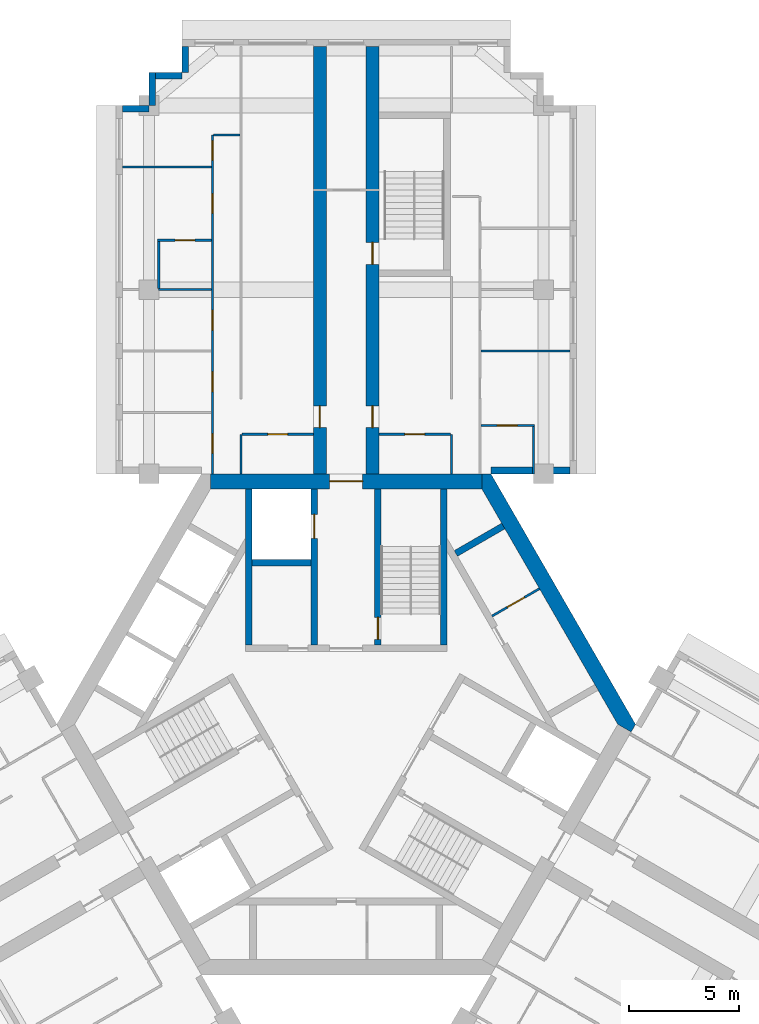
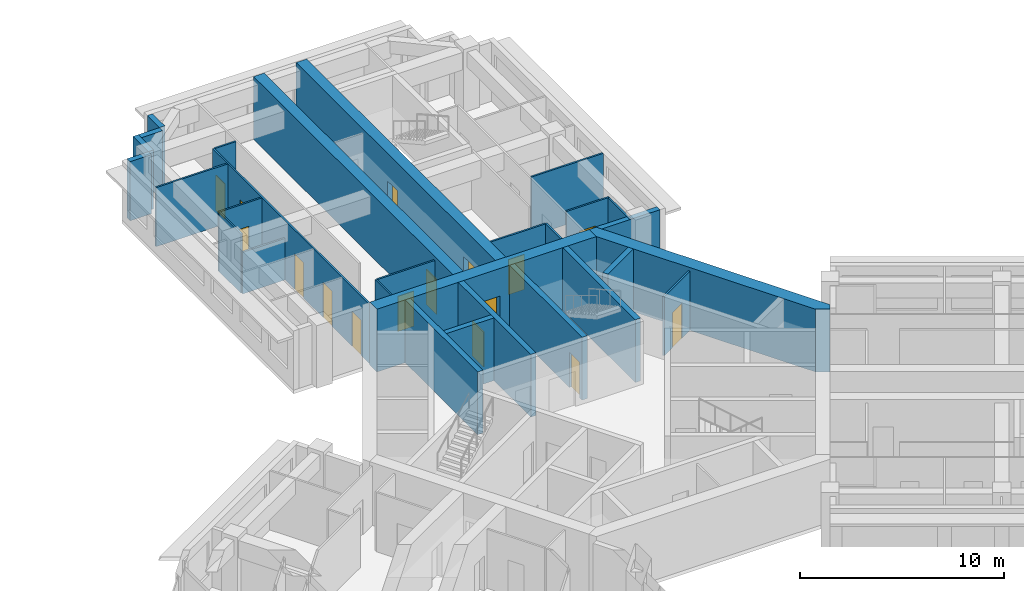
# One storey, part 8 of 12: 29 walls, 16 doors, 16 openings.
"""IFC4 building model written with IfcOpenShell, lengths in metres."""

import ifcopenshell
import ifcopenshell.guid

model = None  # the IFC model being written
_history = None  # IfcOwnerHistory: only IFC2X3 demands one
_inside = {}  # id of a spatial element -> (the spatial element, [elements in it])
_under = {}  # id of a project, library or spatial element -> (it, [spatial elements below it])
_declared = {}  # id of a project -> (the project, [libraries it declares])
_typed = {}  # id of a type object -> (the type object, [elements of that type])
_made_of = {}  # id of a material, layer set ... -> (it, [elements and type objects made of it])


def new_model(schema):
    """Start an empty IFC model of exactly this schema.

    Asked for "IFC4X3", IfcOpenShell would pick the latest addendum, in which some entities
    have other attributes; the version numbers below select the first issue.
    IFC2X3 requires an IfcOwnerHistory on every rooted entity: one is made here for all.
    """
    global model, _history
    if schema == "IFC4X3":
        model = ifcopenshell.file(schema_version=(4, 3, 0, 0))
    else:
        model = ifcopenshell.file(schema=schema)
    _inside.clear()
    _under.clear()
    _declared.clear()
    _typed.clear()
    _made_of.clear()
    _history = None
    if model.schema == "IFC2X3":
        org = make("IfcOrganization", Name="unknown")
        user = make(
            "IfcPersonAndOrganization",
            ThePerson=make("IfcPerson", FamilyName="unknown"),
            TheOrganization=org,
        )
        app = make(
            "IfcApplication",
            ApplicationDeveloper=org,
            Version="unknown",
            ApplicationFullName="unknown",
            ApplicationIdentifier="unknown",
        )
        _history = make(
            "IfcOwnerHistory",
            OwningUser=user,
            OwningApplication=app,
            ChangeAction="ADDED",
            CreationDate=0,
        )
    return model


def make(cls, **values):
    """One entity of the class cls with the attributes given. An attribute that is None is left unset."""
    return model.create_entity(
        cls, **{name: value for name, value in values.items() if value is not None}
    )


def rooted(cls, **values):
    """An entity with a GlobalId (a new one), such as an element, a storey or a relation."""
    return make(cls, GlobalId=ifcopenshell.guid.new(), OwnerHistory=_history, **values)


def si_unit(unit_type, name, prefix=None):
    """IfcSIUnit, for example si_unit("LENGTHUNIT", "METRE", prefix="MILLI")."""
    return make("IfcSIUnit", UnitType=unit_type, Prefix=prefix, Name=name)


def assignment(units):
    """IfcUnitAssignment: the units of a project."""
    return None if units is None else make("IfcUnitAssignment", Units=units)


def point(xyz):
    """IfcCartesianPoint."""
    return None if xyz is None else make("IfcCartesianPoint", Coordinates=xyz)


def direction(xyz):
    """IfcDirection."""
    return None if xyz is None else make("IfcDirection", DirectionRatios=xyz)


def frame(location, z_axis=None, x_axis=None):
    """IfcAxis2Placement3D, a coordinate frame: its origin and axes. An axis left out is left unset."""
    return make(
        "IfcAxis2Placement3D",
        Location=point(location),
        Axis=direction(z_axis),
        RefDirection=direction(x_axis),
    )


def frame_2d(location, x_axis=None):
    """IfcAxis2Placement2D, a coordinate frame in the plane: its origin and x axis."""
    return make(
        "IfcAxis2Placement2D", Location=point(location), RefDirection=direction(x_axis)
    )


def origin():
    """The frame at (0, 0, 0) with its axes left unset."""
    return frame((0.0, 0.0, 0.0))


def place(relative_to, where):
    """IfcLocalPlacement: puts the frame where relative to a parent placement (None: the world)."""
    return make(
        "IfcLocalPlacement", PlacementRelTo=relative_to, RelativePlacement=where
    )


def context(
    kind, dimensions, precision=None, world=None, true_north=None, identifier=None
):
    """IfcGeometricRepresentationContext, for example the 3D "Model" context."""
    return make(
        "IfcGeometricRepresentationContext",
        ContextIdentifier=identifier,
        ContextType=kind,
        CoordinateSpaceDimension=dimensions,
        Precision=precision,
        WorldCoordinateSystem=world,
        TrueNorth=true_north,
    )


def subcontext(parent, identifier, kind, view, scale=None):
    """IfcGeometricRepresentationSubContext, for example "Body" below "Model"."""
    return make(
        "IfcGeometricRepresentationSubContext",
        ContextIdentifier=identifier,
        ContextType=kind,
        ParentContext=parent,
        TargetScale=scale,
        TargetView=view,
    )


def project(units=None, contexts=None):
    """IfcProject with its units and contexts."""
    return rooted(
        "IfcProject",
        Name="project",
        RepresentationContexts=contexts,
        UnitsInContext=assignment(units),
    )


def spatial(cls, under=None, at=None, **own):
    """A site, building, storey or space (cls), placed at a placement, below another one or the project."""
    s = rooted(cls, ObjectPlacement=at, **own)
    if under is not None:
        _under.setdefault(under.id(), (under, []))[1].append(s)
    return s


def polyline(points):
    """IfcPolyline through the points."""
    return make("IfcPolyline", Points=[point(p) for p in points])


def profile(cls, at=None, kind="AREA", **sizes):
    """A parametric profile (cls). Its sizes go by their IFC names, for example OverallWidth=200.0."""
    return make(cls, ProfileType=kind, Position=at, **sizes)


def rectangle(**sizes):
    """IfcRectangleProfileDef."""
    return profile("IfcRectangleProfileDef", **sizes)


def outline(outer, holes=None, kind="AREA"):
    """IfcArbitraryClosedProfileDef: a profile drawn as a closed curve; with holes, ...WithVoids."""
    if holes is None:
        return make("IfcArbitraryClosedProfileDef", ProfileType=kind, OuterCurve=outer)
    return make(
        "IfcArbitraryProfileDefWithVoids",
        ProfileType=kind,
        OuterCurve=outer,
        InnerCurves=holes,
    )


def extrude(swept, where, along, depth):
    """IfcExtrudedAreaSolid: the profile swept, set in the frame where, extruded along a direction by depth."""
    return make(
        "IfcExtrudedAreaSolid",
        SweptArea=swept,
        Position=where,
        ExtrudedDirection=direction(along),
        Depth=depth,
    )


def shape(context_of_items, identifier, shape_type, items):
    """IfcShapeRepresentation: the items that make up one representation, for example the "Body"."""
    return make(
        "IfcShapeRepresentation",
        ContextOfItems=context_of_items,
        RepresentationIdentifier=identifier,
        RepresentationType=shape_type,
        Items=items,
    )


def material(Name=None, Category=None):
    """IfcMaterial."""
    return make("IfcMaterial", Name=Name, Category=Category)


def layer(
    of_material, thickness, ventilated=None, Name=None, Category=None, Priority=None
):
    """IfcMaterialLayer: one layer of a wall or slab, of a material (None: an air gap)."""
    return make(
        "IfcMaterialLayer",
        Material=of_material,
        LayerThickness=thickness,
        IsVentilated=ventilated,
        Name=Name,
        Category=Category,
        Priority=Priority,
    )


def layer_set(layers, Name=None):
    """IfcMaterialLayerSet."""
    return make("IfcMaterialLayerSet", MaterialLayers=layers, LayerSetName=Name)


def made_of(thing, what):
    """Note that an element or type object is made of a material, layer set ...; save() writes the relation."""
    if what is not None:
        _made_of.setdefault(what.id(), (what, []))[1].append(thing)
    return thing


def type_object(cls, material=None, **own):
    """A type object (cls), such as IfcWallType, which elements share."""
    return made_of(rooted(cls, **own), material)


def element(
    cls,
    number,
    at=None,
    inside=None,
    cuts=None,
    type_object=None,
    material=None,
    context=None,
    identifier="Body",
    shape_type=None,
    held_by="IfcProductDefinitionShape",
    body=None,
    shapes=None,
    **own,
):
    """One element of the class cls, such as IfcWall. Its Tag is "e" and its number.

    at: its placement. inside: the storey or other place that contains it. cuts: it is an
    opening in that element (IfcRelVoidsElement). A single representation is given by context,
    identifier, shape_type and body (its items); several are given by shapes. held_by: the class
    of the entity that holds the representations. save() writes the other relations.
    """
    e = rooted(cls, Tag="e%d" % number, ObjectPlacement=at, **own)
    if body is not None:
        shapes = [shape(context, identifier, shape_type, body)]
    if shapes is not None:
        e.Representation = make(held_by, Representations=shapes)
    if inside is not None:
        _inside.setdefault(inside.id(), (inside, []))[1].append(e)
    if cuts is not None:
        rooted(
            "IfcRelVoidsElement", RelatingBuildingElement=cuts, RelatedOpeningElement=e
        )
    if type_object is not None:
        _typed.setdefault(type_object.id(), (type_object, []))[1].append(e)
    return made_of(e, material)


def fill(opening, filler):
    """IfcRelFillsElement: the door or window that sits in an opening."""
    return rooted(
        "IfcRelFillsElement",
        RelatingOpeningElement=opening,
        RelatedBuildingElement=filler,
    )


def aggregate(whole, parts):
    """IfcRelAggregates: a whole, such as a stair, and the parts it consists of."""
    return rooted("IfcRelAggregates", RelatingObject=whole, RelatedObjects=parts)


def save(model, path):
    """Write the relations noted so far, then the file.

    IfcRelAggregates (storeys below a building ...), IfcRelContainedInSpatialStructure (elements
    in a storey), IfcRelDefinesByType, IfcRelAssociatesMaterial and IfcRelDeclares: one each for
    every whole, place, type object, material and project.
    """
    for whole, parts in _under.values():
        aggregate(whole, parts)
    for where, things in _inside.values():
        rooted(
            "IfcRelContainedInSpatialStructure",
            RelatedElements=things,
            RelatingStructure=where,
        )
    for kind, things in _typed.values():
        rooted("IfcRelDefinesByType", RelatedObjects=things, RelatingType=kind)
    for what, things in _made_of.values():
        rooted("IfcRelAssociatesMaterial", RelatedObjects=things, RelatingMaterial=what)
    for by, libraries in _declared.values():
        rooted("IfcRelDeclares", RelatingContext=by, RelatedDefinitions=libraries)
    model.write(path)


model = new_model("IFC4")

# Units and contexts
model_context = context("Model", 3, precision=1e-05, world=origin(), true_north=direction((0.0, 1.0)))
body_context = subcontext(model_context, "Body", "Model", "MODEL_VIEW")
ifc_project = project(units=[si_unit("LENGTHUNIT", "METRE"), si_unit("AREAUNIT", "SQUARE_METRE"), si_unit("VOLUMEUNIT", "CUBIC_METRE"), si_unit("PLANEANGLEUNIT", "RADIAN"), si_unit("MASSUNIT", "GRAM", prefix="KILO")], contexts=[model_context])

# Site, building, storey
site_placement = place(None, origin())
site = spatial("IfcSite", under=ifc_project, at=site_placement, CompositionType="ELEMENT")
building_placement = place(site_placement, origin())
building = spatial("IfcBuilding", under=site, at=building_placement, Name="Impinga Residences", CompositionType="ELEMENT")
storey_placement = place(building_placement, frame((0.0, 0.0, 211.0)))
storey = spatial("IfcBuildingStorey", under=building, at=storey_placement, Name="L52", CompositionType="ELEMENT", Elevation=211.0)

# Wall, opening, door
ifc_material_1 = material(Name="Concrete C60/75", Category="concrete")
ifc_layer_1 = layer(ifc_material_1, 0.60009765625)
ifc_layer_set_1 = layer_set([ifc_layer_1], Name="Concrete C60/75")
wall_type_1 = type_object("IfcWallType", Name="BW3 corridor buttress wall, L46 to L73 600", PredefinedType="SHEAR", material=ifc_layer_set_1)
wall_1_placement = place(storey_placement, frame((-1.199951171875, 11.08154296875, 0.0), z_axis=(0.0, 0.0, 1.0), x_axis=(0.0, 1.0, 0.0)))
wall_1 = element("IfcWall", 1, at=wall_1_placement, inside=storey, type_object=wall_type_1, Name="Corridor wall BW3 NC L52", PredefinedType="SHEAR", context=body_context, shape_type="SweptSolid", body=[
    extrude(rectangle(XDim=19.85009765625, YDim=0.60009765625, at=frame_2d((9.925048828125, 0.0))), origin(), (0.0, 0.0, 1.0), 3.75),
])
opening_1_placement = place(wall_1_placement, frame((2.449951171875, 0.0, 0.0)))
opening_1 = element("IfcOpeningElement", 2, at=opening_1_placement, cuts=wall_1, Name="Opening D1", PredefinedType="OPENING", context=body_context, shape_type="SweptSolid", body=[
    extrude(rectangle(XDim=1.0, YDim=2.10009765625, at=frame_2d((0.5, 1.050048828125))), frame((0.0, 0.31005859375, 0.0), z_axis=(0.0, -1.0, 0.0), x_axis=(1.0, 0.0, 0.0)), (0.0, 0.0, 1.0), 0.6201171875),
])
ifc_material_2 = material(Name="Timber door set", Category="wood")
door_type_1 = type_object("IfcDoorType", Name="D1 apartment entrance door 1000x2100", OperationType="SINGLE_SWING_LEFT", PredefinedType="DOOR", material=ifc_material_2)
door_1_placement = place(opening_1_placement, origin())
door_1 = element("IfcDoor", 3, at=door_1_placement, inside=storey, type_object=door_type_1, Name="Apartment L52-NA1 entrance", OperationType="SINGLE_SWING_LEFT", OverallHeight=2.10009765625, OverallWidth=1.0, PredefinedType="DOOR", context=body_context, shape_type="SweptSolid", body=[
    extrude(rectangle(XDim=1.0, YDim=2.10009765625, at=frame_2d((0.5, 1.050048828125))), frame((0.0, 0.02490234375, 0.0), z_axis=(0.0, -1.0, 0.0), x_axis=(1.0, 0.0, 0.0)), (0.0, 0.0, 1.0), 0.050048828125),
])
fill(opening_1, door_1)

# Wall, openings, doors
wall_2_placement = place(storey_placement, frame((1.199951171875, 11.08154296875, 0.0), z_axis=(0.0, 0.0, 1.0), x_axis=(0.0, 1.0, 0.0)))
wall_2 = element("IfcWall", 4, at=wall_2_placement, inside=storey, type_object=wall_type_1, Name="Corridor wall BW3 ND L52", PredefinedType="SHEAR", context=body_context, shape_type="SweptSolid", body=[
    extrude(rectangle(XDim=19.85009765625, YDim=0.60009765625, at=frame_2d((9.925048828125, 0.0))), origin(), (0.0, 0.0, 1.0), 3.75),
])
opening_2_placement = place(wall_2_placement, frame((9.89990234375, 0.0, 0.0)))
opening_2 = element("IfcOpeningElement", 5, at=opening_2_placement, cuts=wall_2, Name="Opening D5", PredefinedType="OPENING", context=body_context, shape_type="SweptSolid", body=[
    extrude(rectangle(XDim=1.0, YDim=2.10009765625, at=frame_2d((0.5, 1.050048828125))), frame((0.0, 0.31005859375, 0.0), z_axis=(0.0, -1.0, 0.0), x_axis=(1.0, 0.0, 0.0)), (0.0, 0.0, 1.0), 0.6201171875),
])
opening_3_placement = place(wall_2_placement, frame((2.449951171875, 0.0, 0.0)))
opening_3 = element("IfcOpeningElement", 6, at=opening_3_placement, cuts=wall_2, Name="Opening D1", PredefinedType="OPENING", context=body_context, shape_type="SweptSolid", body=[
    extrude(rectangle(XDim=1.0, YDim=2.10009765625, at=frame_2d((0.5, 1.050048828125))), frame((0.0, 0.31005859375, 0.0), z_axis=(0.0, -1.0, 0.0), x_axis=(1.0, 0.0, 0.0)), (0.0, 0.0, 1.0), 0.6201171875),
])
door_2_placement = place(opening_3_placement, origin())
door_2 = element("IfcDoor", 7, at=door_2_placement, inside=storey, type_object=door_type_1, Name="Apartment L52-NF1 entrance", OperationType="SINGLE_SWING_LEFT", OverallHeight=2.10009765625, OverallWidth=1.0, PredefinedType="DOOR", context=body_context, shape_type="SweptSolid", body=[
    extrude(rectangle(XDim=1.0, YDim=2.10009765625, at=frame_2d((0.5, 1.050048828125))), frame((0.0, 0.02490234375, 0.0), z_axis=(0.0, -1.0, 0.0), x_axis=(1.0, 0.0, 0.0)), (0.0, 0.0, 1.0), 0.050048828125),
])
fill(opening_3, door_2)
door_type_2 = type_object("IfcDoorType", Name="D5 stair door 1000x2100", OperationType="SINGLE_SWING_LEFT", PredefinedType="DOOR", material=ifc_material_2)
door_3_placement = place(opening_2_placement, origin())
door_3 = element("IfcDoor", 8, at=door_3_placement, inside=storey, type_object=door_type_2, Name="Wing stair door N", OperationType="SINGLE_SWING_RIGHT", OverallHeight=2.10009765625, OverallWidth=1.0, PredefinedType="DOOR", context=body_context, shape_type="SweptSolid", body=[
    extrude(rectangle(XDim=1.0, YDim=2.10009765625, at=frame_2d((0.5, 1.050048828125))), frame((0.0, 0.02490234375, 0.0), z_axis=(0.0, -1.0, 0.0), x_axis=(1.0, 0.0, 0.0)), (0.0, 0.0, 1.0), 0.050048828125),
])
fill(opening_2, door_3)

# Wall, opening, door
ifc_material_3 = material(Name="Concrete blockwork", Category="masonry")
ifc_layer_2 = layer(ifc_material_3, 0.10009765625)
ifc_layer_set_2 = layer_set([ifc_layer_2], Name="CP1 core room partition, blockwork 100")
wall_type_2 = type_object("IfcWallType", Name="CP1 core room partition, blockwork 100", PredefinedType="PARTITIONING", material=ifc_layer_set_2)
wall_3_placement = place(storey_placement, frame((6.65380859375, 4.9384765625, 0.0), z_axis=(0.0, 0.0, 1.0), x_axis=(0.866022959057, 0.500004234368, 0.0)))
wall_3 = element("IfcWall", 9, at=wall_3_placement, inside=storey, type_object=wall_type_2, Name="Core room partition, blockwork L52:CORE:mid:ZP1", PredefinedType="PARTITIONING", context=body_context, shape_type="SweptSolid", body=[
    extrude(rectangle(XDim=2.5, YDim=0.10009765625, at=frame_2d((1.25, 0.0))), origin(), (0.0, 0.0, 1.0), 3.530029296875),
])
opening_4_placement = place(wall_3_placement, frame((0.800048828125, 0.0, 0.0)))
opening_4 = element("IfcOpeningElement", 10, at=opening_4_placement, cuts=wall_3, Name="Opening D6", PredefinedType="OPENING", context=body_context, shape_type="SweptSolid", body=[
    extrude(rectangle(XDim=0.89990234375, YDim=2.10009765625, at=frame_2d((0.449951171875, 1.050048828125))), frame((0.0, 0.06005859375, 0.0), z_axis=(0.0, -1.0, 0.0), x_axis=(1.0, 0.0, 0.0)), (0.0, 0.0, 1.0), 0.1201171875),
])
door_type_3 = type_object("IfcDoorType", Name="D6 riser and store door 900x2100", OperationType="SINGLE_SWING_LEFT", PredefinedType="DOOR", material=ifc_material_2)
door_4_placement = place(opening_4_placement, origin())
door_4 = element("IfcDoor", 11, at=door_4_placement, inside=storey, type_object=door_type_3, Name="Staff WC door", OperationType="SINGLE_SWING_LEFT", OverallHeight=2.10009765625, OverallWidth=0.89990234375, PredefinedType="DOOR", context=body_context, shape_type="SweptSolid", body=[
    extrude(rectangle(XDim=0.89990234375, YDim=2.10009765625, at=frame_2d((0.449951171875, 1.050048828125))), frame((0.0, 0.02490234375, 0.0), z_axis=(0.0, -1.0, 0.0), x_axis=(1.0, 0.0, 0.0)), (0.0, 0.0, 1.0), 0.050048828125),
])
fill(opening_4, door_4)

# Walls
ifc_material_4 = material(Name="Terracotta rainscreen on blockwork", Category="masonry")
ifc_layer_3 = layer(ifc_material_4, 0.300048828125)
ifc_layer_set_3 = layer_set([ifc_layer_3], Name="EW1 external wall, terracotta rainscreen on blockwork 300")
wall_type_3 = type_object("IfcWallType", Name="EW1 external wall, terracotta rainscreen on blockwork 300", PredefinedType="SOLIDWALL", material=ifc_layer_set_3)
wall_4_placement = place(storey_placement, frame((-10.199951171875, 28.08154296875, 0.0), z_axis=(0.0, 0.0, 1.0), x_axis=(1.0, 0.0, 0.0)))
element("IfcWall", 12, at=wall_4_placement, inside=storey, type_object=wall_type_3, Name="External wall EW1 L52", PredefinedType="SOLIDWALL", context=body_context, shape_type="SweptSolid", body=[
    extrude(rectangle(XDim=1.199951171875, YDim=0.300048828125, at=frame_2d((0.60009765625, 0.0))), origin(), (0.0, 0.0, 1.0), 3.530029296875),
])
wall_5_placement = place(storey_placement, frame((-8.85009765625, 28.236572265625, 0.0), z_axis=(0.0, 0.0, 1.0), x_axis=(0.0, 1.0, 0.0)))
element("IfcWall", 13, at=wall_5_placement, inside=storey, type_object=wall_type_3, Name="External wall EW1 L52", PredefinedType="SOLIDWALL", context=body_context, shape_type="SweptSolid", body=[
    extrude(rectangle(XDim=1.494873046875, YDim=0.300048828125, at=frame_2d((0.74755859375, 0.0))), origin(), (0.0, 0.0, 1.0), 3.530029296875),
])
wall_6_placement = place(storey_placement, frame((-8.699951171875, 29.58154296875, 0.0), z_axis=(0.0, 0.0, 1.0), x_axis=(1.0, 0.0, 0.0)))
element("IfcWall", 14, at=wall_6_placement, inside=storey, type_object=wall_type_3, Name="External wall EW1 L52", PredefinedType="SOLIDWALL", context=body_context, shape_type="SweptSolid", body=[
    extrude(rectangle(XDim=1.199951171875, YDim=0.300048828125, at=frame_2d((0.60009765625, 0.0))), origin(), (0.0, 0.0, 1.0), 3.530029296875),
])
wall_7_placement = place(storey_placement, frame((-7.35009765625, 29.736572265625, 0.0), z_axis=(0.0, 0.0, 1.0), x_axis=(0.0, 1.0, 0.0)))
element("IfcWall", 15, at=wall_7_placement, inside=storey, type_object=wall_type_3, Name="External wall EW1 L52", PredefinedType="SOLIDWALL", context=body_context, shape_type="SweptSolid", body=[
    extrude(rectangle(XDim=1.195068359375, YDim=0.300048828125, at=frame_2d((0.59765625, 0.0))), origin(), (0.0, 0.0, 1.0), 3.530029296875),
])
wall_8_placement = place(storey_placement, frame((10.199951171875, 11.58154296875, 0.0), z_axis=(0.0, 0.0, 1.0), x_axis=(-1.0, 0.0, 0.0)))
element("IfcWall", 16, at=wall_8_placement, inside=storey, type_object=wall_type_3, Name="External wall EW1 L52", PredefinedType="SOLIDWALL", context=body_context, shape_type="SweptSolid", body=[
    extrude(rectangle(XDim=3.599853515625, YDim=0.300048828125, at=frame_2d((1.7998046875, 0.0))), origin(), (0.0, 0.0, 1.0), 3.530029296875),
])
ifc_material_5 = material(Name="Gypsum board on steel studs", Category="steel")
ifc_layer_4 = layer(ifc_material_5, 0.10009765625)
ifc_layer_set_4 = layer_set([ifc_layer_4], Name="Gypsum board on steel studs")
wall_type_4 = type_object("IfcWallType", Name="IP1 partition 100", PredefinedType="PARTITIONING", material=ifc_layer_set_4)
wall_9_placement = place(storey_placement, frame((-4.800048828125, 11.431640625, 0.0), z_axis=(0.0, 0.0, 1.0), x_axis=(0.0, 1.0, 0.0)))
element("IfcWall", 17, at=wall_9_placement, inside=storey, type_object=wall_type_4, Name="Partition L52-NA1:DIV0", PredefinedType="PARTITIONING", context=body_context, shape_type="SweptSolid", body=[
    extrude(rectangle(XDim=1.7998046875, YDim=0.10009765625, at=frame_2d((0.89990234375, 0.0))), origin(), (0.0, 0.0, 1.0), 3.530029296875),
])

# Wall, openings, doors
wall_10_placement = place(storey_placement, frame((-6.10009765625, 11.431640625, 0.0), z_axis=(0.0, 0.0, 1.0), x_axis=(0.0, 1.0, 0.0)))
wall_10 = element("IfcWall", 18, at=wall_10_placement, inside=storey, type_object=wall_type_4, Name="Partition L52-NA1:STRIP", PredefinedType="PARTITIONING", context=body_context, shape_type="SweptSolid", body=[
    extrude(rectangle(XDim=15.449951171875, YDim=0.10009765625, at=frame_2d((7.72509765625, 0.0))), origin(), (0.0, 0.0, 1.0), 3.530029296875),
])
opening_5_placement = place(wall_10_placement, frame((0.925048828125, 0.0, 0.0)))
opening_5 = element("IfcOpeningElement", 19, at=opening_5_placement, cuts=wall_10, Name="Opening D2", PredefinedType="OPENING", context=body_context, shape_type="SweptSolid", body=[
    extrude(rectangle(XDim=0.89990234375, YDim=2.10009765625, at=frame_2d((0.449951171875, 1.050048828125))), frame((0.0, 0.06005859375, 0.0), z_axis=(0.0, -1.0, 0.0), x_axis=(1.0, 0.0, 0.0)), (0.0, 0.0, 1.0), 0.1201171875),
])
opening_6_placement = place(wall_10_placement, frame((3.75, 0.0, 0.0)))
opening_6 = element("IfcOpeningElement", 20, at=opening_6_placement, cuts=wall_10, Name="Opening D2", PredefinedType="OPENING", context=body_context, shape_type="SweptSolid", body=[
    extrude(rectangle(XDim=0.89990234375, YDim=2.10009765625, at=frame_2d((0.449951171875, 1.050048828125))), frame((0.0, 0.06005859375, 0.0), z_axis=(0.0, -1.0, 0.0), x_axis=(1.0, 0.0, 0.0)), (0.0, 0.0, 1.0), 0.1201171875),
])
opening_7_placement = place(wall_10_placement, frame((6.550048828125, 0.0, 0.0)))
opening_7 = element("IfcOpeningElement", 21, at=opening_7_placement, cuts=wall_10, Name="Opening D2", PredefinedType="OPENING", context=body_context, shape_type="SweptSolid", body=[
    extrude(rectangle(XDim=0.89990234375, YDim=2.10009765625, at=frame_2d((0.449951171875, 1.050048828125))), frame((0.0, 0.06005859375, 0.0), z_axis=(0.0, -1.0, 0.0), x_axis=(1.0, 0.0, 0.0)), (0.0, 0.0, 1.0), 0.1201171875),
])
opening_8_placement = place(wall_10_placement, frame((11.875, 0.0, 0.0)))
opening_8 = element("IfcOpeningElement", 22, at=opening_8_placement, cuts=wall_10, Name="Opening D2", PredefinedType="OPENING", context=body_context, shape_type="SweptSolid", body=[
    extrude(rectangle(XDim=0.89990234375, YDim=2.10009765625, at=frame_2d((0.449951171875, 1.050048828125))), frame((0.0, 0.06005859375, 0.0), z_axis=(0.0, -1.0, 0.0), x_axis=(1.0, 0.0, 0.0)), (0.0, 0.0, 1.0), 0.1201171875),
])
opening_9_placement = place(wall_10_placement, frame((14.300048828125, 0.0, 0.0)))
opening_9 = element("IfcOpeningElement", 23, at=opening_9_placement, cuts=wall_10, Name="Opening D2", PredefinedType="OPENING", context=body_context, shape_type="SweptSolid", body=[
    extrude(rectangle(XDim=0.89990234375, YDim=2.10009765625, at=frame_2d((0.449951171875, 1.050048828125))), frame((0.0, 0.06005859375, 0.0), z_axis=(0.0, -1.0, 0.0), x_axis=(1.0, 0.0, 0.0)), (0.0, 0.0, 1.0), 0.1201171875),
])
door_type_4 = type_object("IfcDoorType", Name="D2 internal door 900x2100", OperationType="SINGLE_SWING_LEFT", PredefinedType="DOOR", material=ifc_material_2)
door_5_placement = place(opening_5_placement, origin())
door_5 = element("IfcDoor", 24, at=door_5_placement, inside=storey, type_object=door_type_4, Name="Apartment L52-NA1 room door", OperationType="SINGLE_SWING_LEFT", OverallHeight=2.10009765625, OverallWidth=0.89990234375, PredefinedType="DOOR", context=body_context, shape_type="SweptSolid", body=[
    extrude(rectangle(XDim=0.89990234375, YDim=2.10009765625, at=frame_2d((0.449951171875, 1.050048828125))), frame((0.0, 0.02490234375, 0.0), z_axis=(0.0, -1.0, 0.0), x_axis=(1.0, 0.0, 0.0)), (0.0, 0.0, 1.0), 0.050048828125),
])
fill(opening_5, door_5)
door_6_placement = place(opening_6_placement, origin())
door_6 = element("IfcDoor", 25, at=door_6_placement, inside=storey, type_object=door_type_4, Name="Apartment L52-NA1 room door", OperationType="SINGLE_SWING_LEFT", OverallHeight=2.10009765625, OverallWidth=0.89990234375, PredefinedType="DOOR", context=body_context, shape_type="SweptSolid", body=[
    extrude(rectangle(XDim=0.89990234375, YDim=2.10009765625, at=frame_2d((0.449951171875, 1.050048828125))), frame((0.0, 0.02490234375, 0.0), z_axis=(0.0, -1.0, 0.0), x_axis=(1.0, 0.0, 0.0)), (0.0, 0.0, 1.0), 0.050048828125),
])
fill(opening_6, door_6)
door_7_placement = place(opening_7_placement, origin())
door_7 = element("IfcDoor", 26, at=door_7_placement, inside=storey, type_object=door_type_4, Name="Apartment L52-NA1 room door", OperationType="SINGLE_SWING_LEFT", OverallHeight=2.10009765625, OverallWidth=0.89990234375, PredefinedType="DOOR", context=body_context, shape_type="SweptSolid", body=[
    extrude(rectangle(XDim=0.89990234375, YDim=2.10009765625, at=frame_2d((0.449951171875, 1.050048828125))), frame((0.0, 0.02490234375, 0.0), z_axis=(0.0, -1.0, 0.0), x_axis=(1.0, 0.0, 0.0)), (0.0, 0.0, 1.0), 0.050048828125),
])
fill(opening_7, door_7)
door_8_placement = place(opening_8_placement, origin())
door_8 = element("IfcDoor", 27, at=door_8_placement, inside=storey, type_object=door_type_4, Name="Apartment L52-NA1 room door", OperationType="SINGLE_SWING_RIGHT", OverallHeight=2.10009765625, OverallWidth=0.89990234375, PredefinedType="DOOR", context=body_context, shape_type="SweptSolid", body=[
    extrude(rectangle(XDim=0.89990234375, YDim=2.10009765625, at=frame_2d((0.449951171875, 1.050048828125))), frame((0.0, 0.02490234375, 0.0), z_axis=(0.0, -1.0, 0.0), x_axis=(1.0, 0.0, 0.0)), (0.0, 0.0, 1.0), 0.050048828125),
])
fill(opening_8, door_8)
door_9_placement = place(opening_9_placement, origin())
door_9 = element("IfcDoor", 28, at=door_9_placement, inside=storey, type_object=door_type_4, Name="Apartment L52-NA1 room door", OperationType="SINGLE_SWING_RIGHT", OverallHeight=2.10009765625, OverallWidth=0.89990234375, PredefinedType="DOOR", context=body_context, shape_type="SweptSolid", body=[
    extrude(rectangle(XDim=0.89990234375, YDim=2.10009765625, at=frame_2d((0.449951171875, 1.050048828125))), frame((0.0, 0.02490234375, 0.0), z_axis=(0.0, -1.0, 0.0), x_axis=(1.0, 0.0, 0.0)), (0.0, 0.0, 1.0), 0.050048828125),
])
fill(opening_9, door_9)

# Wall
wall_11_placement = place(storey_placement, frame((-4.85009765625, 26.881591796875, 0.0), z_axis=(0.0, 0.0, 1.0), x_axis=(-1.0, 0.0, 0.0)))
element("IfcWall", 29, at=wall_11_placement, inside=storey, type_object=wall_type_4, Name="Partition L52-NA1:SE1", PredefinedType="PARTITIONING", context=body_context, shape_type="SweptSolid", body=[
    extrude(rectangle(XDim=1.199951171875, YDim=0.10009765625, at=frame_2d((0.60009765625, 0.0))), origin(), (0.0, 0.0, 1.0), 3.530029296875),
])

# Wall, opening, door
wall_12_placement = place(storey_placement, frame((-1.5, 13.2314453125, 0.0), z_axis=(0.0, 0.0, 1.0), x_axis=(-1.0, 0.0, 0.0)))
wall_12 = element("IfcWall", 30, at=wall_12_placement, inside=storey, type_object=wall_type_4, Name="Partition L52-NA1:IB1", PredefinedType="PARTITIONING", context=body_context, shape_type="SweptSolid", body=[
    extrude(rectangle(XDim=3.25, YDim=0.10009765625, at=frame_2d((1.625, 0.0))), origin(), (0.0, 0.0, 1.0), 3.530029296875),
])
opening_10_placement = place(wall_12_placement, frame((1.175048828125, 0.0, 0.0)))
opening_10 = element("IfcOpeningElement", 31, at=opening_10_placement, cuts=wall_12, Name="Opening D2", PredefinedType="OPENING", context=body_context, shape_type="SweptSolid", body=[
    extrude(rectangle(XDim=0.89990234375, YDim=2.10009765625, at=frame_2d((0.449951171875, 1.050048828125))), frame((0.0, 0.06005859375, 0.0), z_axis=(0.0, -1.0, 0.0), x_axis=(1.0, 0.0, 0.0)), (0.0, 0.0, 1.0), 0.1201171875),
])
door_10_placement = place(opening_10_placement, origin())
door_10 = element("IfcDoor", 32, at=door_10_placement, inside=storey, type_object=door_type_4, Name="Apartment L52-NA1 bathroom door", OperationType="SINGLE_SWING_LEFT", OverallHeight=2.10009765625, OverallWidth=0.89990234375, PredefinedType="DOOR", context=body_context, shape_type="SweptSolid", body=[
    extrude(rectangle(XDim=0.89990234375, YDim=2.10009765625, at=frame_2d((0.449951171875, 1.050048828125))), frame((0.0, 0.02490234375, 0.0), z_axis=(0.0, -1.0, 0.0), x_axis=(1.0, 0.0, 0.0)), (0.0, 0.0, 1.0), 0.050048828125),
])
fill(opening_10, door_10)

# Walls
wall_13_placement = place(storey_placement, frame((-6.14990234375, 19.83154296875, 0.0), z_axis=(0.0, 0.0, 1.0), x_axis=(-1.0, 0.0, 0.0)))
element("IfcWall", 33, at=wall_13_placement, inside=storey, type_object=wall_type_4, Name="Partition L52-NA1:OB3", PredefinedType="PARTITIONING", context=body_context, shape_type="SweptSolid", body=[
    extrude(rectangle(XDim=2.400146484375, YDim=0.10009765625, at=frame_2d((1.2001953125, 0.0))), origin(), (0.0, 0.0, 1.0), 2.47998046875),
])
wall_14_placement = place(storey_placement, frame((-6.14990234375, 25.431640625, 0.0), z_axis=(0.0, 0.0, 1.0), x_axis=(-1.0, 0.0, 0.0)))
element("IfcWall", 34, at=wall_14_placement, inside=storey, type_object=wall_type_4, Name="Partition L52-NA1:OB4", PredefinedType="PARTITIONING", context=body_context, shape_type="SweptSolid", body=[
    extrude(rectangle(XDim=4.050048828125, YDim=0.10009765625, at=frame_2d((2.02490234375, 0.0))), origin(), (0.0, 0.0, 1.0), 3.530029296875),
])

# Wall, opening, door
wall_15_placement = place(storey_placement, frame((-6.14990234375, 22.08154296875, 0.0), z_axis=(0.0, 0.0, 1.0), x_axis=(-1.0, 0.0, 0.0)))
wall_15 = element("IfcWall", 35, at=wall_15_placement, inside=storey, type_object=wall_type_4, Name="Partition L52-NA1:EN1", PredefinedType="PARTITIONING", context=body_context, shape_type="SweptSolid", body=[
    extrude(rectangle(XDim=2.4501953125, YDim=0.10009765625, at=frame_2d((1.22509765625, 0.0))), origin(), (0.0, 0.0, 1.0), 3.530029296875),
])
opening_11_placement = place(wall_15_placement, frame((0.75, 0.0, 0.0)))
opening_11 = element("IfcOpeningElement", 36, at=opening_11_placement, cuts=wall_15, Name="Opening D2", PredefinedType="OPENING", context=body_context, shape_type="SweptSolid", body=[
    extrude(rectangle(XDim=0.89990234375, YDim=2.10009765625, at=frame_2d((0.449951171875, 1.050048828125))), frame((0.0, 0.06005859375, 0.0), z_axis=(0.0, -1.0, 0.0), x_axis=(1.0, 0.0, 0.0)), (0.0, 0.0, 1.0), 0.1201171875),
])
door_11_placement = place(opening_11_placement, origin())
door_11 = element("IfcDoor", 37, at=door_11_placement, inside=storey, type_object=door_type_4, Name="Apartment L52-NA1 en-suite door", OperationType="SINGLE_SWING_LEFT", OverallHeight=2.10009765625, OverallWidth=0.89990234375, PredefinedType="DOOR", context=body_context, shape_type="SweptSolid", body=[
    extrude(rectangle(XDim=0.89990234375, YDim=2.10009765625, at=frame_2d((0.449951171875, 1.050048828125))), frame((0.0, 0.02490234375, 0.0), z_axis=(0.0, -1.0, 0.0), x_axis=(1.0, 0.0, 0.0)), (0.0, 0.0, 1.0), 0.050048828125),
])
fill(opening_11, door_11)

# Walls
wall_16_placement = place(storey_placement, frame((-8.550048828125, 19.881591796875, 0.0), z_axis=(0.0, 0.0, 1.0), x_axis=(0.0, 1.0, 0.0)))
element("IfcWall", 38, at=wall_16_placement, inside=storey, type_object=wall_type_4, Name="Partition L52-NA1:EN2", PredefinedType="PARTITIONING", context=body_context, shape_type="SweptSolid", body=[
    extrude(rectangle(XDim=2.14990234375, YDim=0.10009765625, at=frame_2d((1.074951171875, 0.0))), origin(), (0.0, 0.0, 1.0), 3.530029296875),
])
wall_17_placement = place(storey_placement, frame((4.800048828125, 11.431640625, 0.0), z_axis=(0.0, 0.0, 1.0), x_axis=(0.0, 1.0, 0.0)))
element("IfcWall", 39, at=wall_17_placement, inside=storey, type_object=wall_type_4, Name="Partition L52-NF1:DIV0", PredefinedType="PARTITIONING", context=body_context, shape_type="SweptSolid", body=[
    extrude(rectangle(XDim=1.7998046875, YDim=0.10009765625, at=frame_2d((0.89990234375, 0.0))), origin(), (0.0, 0.0, 1.0), 3.530029296875),
])

# Wall, opening, door
wall_18_placement = place(storey_placement, frame((1.5, 13.2314453125, 0.0), z_axis=(0.0, 0.0, 1.0), x_axis=(1.0, 0.0, 0.0)))
wall_18 = element("IfcWall", 40, at=wall_18_placement, inside=storey, type_object=wall_type_4, Name="Partition L52-NF1:IB1", PredefinedType="PARTITIONING", context=body_context, shape_type="SweptSolid", body=[
    extrude(rectangle(XDim=3.25, YDim=0.10009765625, at=frame_2d((1.625, 0.0))), origin(), (0.0, 0.0, 1.0), 3.530029296875),
])
opening_12_placement = place(wall_18_placement, frame((1.175048828125, 0.0, 0.0)))
opening_12 = element("IfcOpeningElement", 41, at=opening_12_placement, cuts=wall_18, Name="Opening D2", PredefinedType="OPENING", context=body_context, shape_type="SweptSolid", body=[
    extrude(rectangle(XDim=0.89990234375, YDim=2.10009765625, at=frame_2d((0.449951171875, 1.050048828125))), frame((0.0, 0.06005859375, 0.0), z_axis=(0.0, -1.0, 0.0), x_axis=(1.0, 0.0, 0.0)), (0.0, 0.0, 1.0), 0.1201171875),
])
door_12_placement = place(opening_12_placement, origin())
door_12 = element("IfcDoor", 42, at=door_12_placement, inside=storey, type_object=door_type_4, Name="Apartment L52-NF1 bathroom door", OperationType="SINGLE_SWING_LEFT", OverallHeight=2.10009765625, OverallWidth=0.89990234375, PredefinedType="DOOR", context=body_context, shape_type="SweptSolid", body=[
    extrude(rectangle(XDim=0.89990234375, YDim=2.10009765625, at=frame_2d((0.449951171875, 1.050048828125))), frame((0.0, 0.02490234375, 0.0), z_axis=(0.0, -1.0, 0.0), x_axis=(1.0, 0.0, 0.0)), (0.0, 0.0, 1.0), 0.050048828125),
])
fill(opening_12, door_12)

# Wall
wall_19_placement = place(storey_placement, frame((6.14990234375, 17.031494140625, 0.0), z_axis=(0.0, 0.0, 1.0), x_axis=(1.0, 0.0, 0.0)))
element("IfcWall", 43, at=wall_19_placement, inside=storey, type_object=wall_type_4, Name="Partition L52-NF1:OB1", PredefinedType="PARTITIONING", context=body_context, shape_type="SweptSolid", body=[
    extrude(rectangle(XDim=4.050048828125, YDim=0.10009765625, at=frame_2d((2.02490234375, 0.0))), origin(), (0.0, 0.0, 1.0), 3.530029296875),
])

# Wall, opening, door
wall_20_placement = place(storey_placement, frame((6.14990234375, 13.631591796875, 0.0), z_axis=(0.0, 0.0, 1.0), x_axis=(1.0, 0.0, 0.0)))
wall_20 = element("IfcWall", 44, at=wall_20_placement, inside=storey, type_object=wall_type_4, Name="Partition L52-NF1:EN1", PredefinedType="PARTITIONING", context=body_context, shape_type="SweptSolid", body=[
    extrude(rectangle(XDim=2.4501953125, YDim=0.10009765625, at=frame_2d((1.22509765625, 0.0))), origin(), (0.0, 0.0, 1.0), 3.530029296875),
])
opening_13_placement = place(wall_20_placement, frame((0.75, 0.0, 0.0)))
opening_13 = element("IfcOpeningElement", 45, at=opening_13_placement, cuts=wall_20, Name="Opening D2", PredefinedType="OPENING", context=body_context, shape_type="SweptSolid", body=[
    extrude(rectangle(XDim=0.89990234375, YDim=2.10009765625, at=frame_2d((0.449951171875, 1.050048828125))), frame((0.0, 0.06005859375, 0.0), z_axis=(0.0, -1.0, 0.0), x_axis=(1.0, 0.0, 0.0)), (0.0, 0.0, 1.0), 0.1201171875),
])
door_13_placement = place(opening_13_placement, origin())
door_13 = element("IfcDoor", 46, at=door_13_placement, inside=storey, type_object=door_type_4, Name="Apartment L52-NF1 en-suite door", OperationType="SINGLE_SWING_LEFT", OverallHeight=2.10009765625, OverallWidth=0.89990234375, PredefinedType="DOOR", context=body_context, shape_type="SweptSolid", body=[
    extrude(rectangle(XDim=0.89990234375, YDim=2.10009765625, at=frame_2d((0.449951171875, 1.050048828125))), frame((0.0, 0.02490234375, 0.0), z_axis=(0.0, -1.0, 0.0), x_axis=(1.0, 0.0, 0.0)), (0.0, 0.0, 1.0), 0.050048828125),
])
fill(opening_13, door_13)

# Wall
wall_21_placement = place(storey_placement, frame((8.550048828125, 11.431640625, 0.0), z_axis=(0.0, 0.0, 1.0), x_axis=(0.0, 1.0, 0.0)))
element("IfcWall", 47, at=wall_21_placement, inside=storey, type_object=wall_type_4, Name="Partition L52-NF1:EN2", PredefinedType="PARTITIONING", context=body_context, shape_type="SweptSolid", body=[
    extrude(rectangle(XDim=2.14990234375, YDim=0.10009765625, at=frame_2d((1.074951171875, 0.0))), origin(), (0.0, 0.0, 1.0), 3.530029296875),
])

# Wall, opening, door
ifc_layer_5 = layer(ifc_material_1, 0.699951171875)
ifc_layer_set_5 = layer_set([ifc_layer_5], Name="Concrete C60/75")
wall_type_5 = type_object("IfcWallType", Name="SW3 core wall 700", PredefinedType="SHEAR", material=ifc_layer_set_5)
wall_22_placement = place(storey_placement, frame((-6.19580078125, 11.08154296875, 0.0), z_axis=(0.0, 0.0, 1.0), x_axis=(1.0, 0.0, 0.0)))
wall_22 = element("IfcWall", 48, at=wall_22_placement, inside=storey, type_object=wall_type_5, Name="Core wall SW3 N:FACE L52", PredefinedType="SHEAR", context=body_context, shape_type="SweptSolid", body=[
    extrude(rectangle(XDim=12.3916015625, YDim=0.699951171875, at=frame_2d((6.19580078125, 0.0))), origin(), (0.0, 0.0, 1.0), 3.75),
])
opening_14_placement = place(wall_22_placement, frame((5.44580078125, 0.0, 0.0)))
opening_14 = element("IfcOpeningElement", 49, at=opening_14_placement, cuts=wall_22, Name="Opening D4", PredefinedType="OPENING", context=body_context, shape_type="SweptSolid", body=[
    extrude(rectangle(XDim=1.5, YDim=2.10009765625, at=frame_2d((0.75, 1.050048828125))), frame((0.0, 0.35986328125, 0.0), z_axis=(0.0, -1.0, 0.0), x_axis=(1.0, 0.0, 0.0)), (0.0, 0.0, 1.0), 0.719970703125),
])
door_type_5 = type_object("IfcDoorType", Name="D4 lobby door pair 1500x2100", OperationType="DOUBLE_DOOR_DOUBLE_SWING", PredefinedType="DOOR", material=ifc_material_2)
door_14_placement = place(opening_14_placement, origin())
door_14 = element("IfcDoor", 50, at=door_14_placement, inside=storey, type_object=door_type_5, Name="Lobby door N", OperationType="DOUBLE_DOOR_DOUBLE_SWING", OverallHeight=2.10009765625, OverallWidth=1.5, PredefinedType="DOOR", context=body_context, shape_type="SweptSolid", body=[
    extrude(rectangle(XDim=1.5, YDim=2.10009765625, at=frame_2d((0.75, 1.050048828125))), frame((0.0, 0.02490234375, 0.0), z_axis=(0.0, -1.0, 0.0), x_axis=(1.0, 0.0, 0.0)), (0.0, 0.0, 1.0), 0.050048828125),
])
fill(opening_14, door_14)

# Wall
wall_23_placement = place(storey_placement, origin())
element("IfcWall", 51, at=wall_23_placement, inside=storey, type_object=wall_type_5, Name="Core wall SW3 W:EXPOSED L52", PredefinedType="SHEAR", context=body_context, shape_type="SweptSolid", body=[
    extrude(outline(polyline([(13.199951171875, 0.0), (6.60009765625, 11.431640625), (6.19580078125, 11.431640625), (6.19580078125, 10.7314453125), (12.3916015625, 0.0), (12.998046875, -0.35009765625), (13.199951171875, 0.0)])), origin(), (0.0, 0.0, 1.0), 3.75),
])

# Wall, opening, door
ifc_material_6 = material(Name="Concrete C70/85", Category="concrete")
ifc_layer_6 = layer(ifc_material_6, 0.300048828125)
ifc_layer_set_6 = layer_set([ifc_layer_6], Name="Concrete C70/85")
wall_type_6 = type_object("IfcWallType", Name="SW5 core inner wall, stairs, shafts and lobbies 300", PredefinedType="SHEAR", material=ifc_layer_set_6)
wall_24_placement = place(storey_placement, frame((1.449951171875, 3.6298828125, 0.0), z_axis=(0.0, 0.0, 1.0), x_axis=(0.0, 1.0, 0.0)))
wall_24 = element("IfcWall", 52, at=wall_24_placement, inside=storey, type_object=wall_type_6, Name="Core wall SW5 N:ST-IN L52", PredefinedType="SHEAR", context=body_context, shape_type="SweptSolid", body=[
    extrude(rectangle(XDim=7.1015625, YDim=0.300048828125, at=frame_2d((3.55078125, 0.0))), origin(), (0.0, 0.0, 1.0), 3.75),
])
opening_15_placement = place(wall_24_placement, frame((0.25, 0.0, 0.0)))
opening_15 = element("IfcOpeningElement", 53, at=opening_15_placement, cuts=wall_24, Name="Opening D5", PredefinedType="OPENING", context=body_context, shape_type="SweptSolid", body=[
    extrude(rectangle(XDim=1.0, YDim=2.10009765625, at=frame_2d((0.5, 1.050048828125))), frame((0.0, 0.159912109375, 0.0), z_axis=(0.0, -1.0, 0.0), x_axis=(1.0, 0.0, 0.0)), (0.0, 0.0, 1.0), 0.320068359375),
])
door_15_placement = place(opening_15_placement, origin())
door_15 = element("IfcDoor", 54, at=door_15_placement, inside=storey, type_object=door_type_2, Name="Stair door N", OperationType="SINGLE_SWING_LEFT", OverallHeight=2.10009765625, OverallWidth=1.0, PredefinedType="DOOR", context=body_context, shape_type="SweptSolid", body=[
    extrude(rectangle(XDim=1.0, YDim=2.10009765625, at=frame_2d((0.5, 1.050048828125))), frame((0.0, 0.02490234375, 0.0), z_axis=(0.0, -1.0, 0.0), x_axis=(1.0, 0.0, 0.0)), (0.0, 0.0, 1.0), 0.050048828125),
])
fill(opening_15, door_15)

# Wall
wall_25_placement = place(storey_placement, frame((4.449951171875, 3.6298828125, 0.0), z_axis=(0.0, 0.0, 1.0), x_axis=(0.0, 1.0, 0.0)))
element("IfcWall", 55, at=wall_25_placement, inside=storey, type_object=wall_type_6, Name="Core wall SW5 N:ST-OUT L52", PredefinedType="SHEAR", context=body_context, shape_type="SweptSolid", body=[
    extrude(rectangle(XDim=7.1015625, YDim=0.300048828125, at=frame_2d((3.55078125, 0.0))), origin(), (0.0, 0.0, 1.0), 3.75),
])

# Wall, opening, door
wall_26_placement = place(storey_placement, frame((-1.449951171875, 3.6298828125, 0.0), z_axis=(0.0, 0.0, 1.0), x_axis=(0.0, 1.0, 0.0)))
wall_26 = element("IfcWall", 56, at=wall_26_placement, inside=storey, type_object=wall_type_6, Name="Core wall SW5 N:FF-IN L52", PredefinedType="SHEAR", context=body_context, shape_type="SweptSolid", body=[
    extrude(rectangle(XDim=7.1015625, YDim=0.300048828125, at=frame_2d((3.55078125, 0.0))), origin(), (0.0, 0.0, 1.0), 3.75),
])
opening_16_placement = place(wall_26_placement, frame((4.85009765625, 0.0, 0.0)))
opening_16 = element("IfcOpeningElement", 57, at=opening_16_placement, cuts=wall_26, Name="Opening LD2", PredefinedType="OPENING", context=body_context, shape_type="SweptSolid", body=[
    extrude(rectangle(XDim=1.10009765625, YDim=2.10009765625, at=frame_2d((0.550048828125, 1.050048828125))), frame((0.0, 0.159912109375, 0.0), z_axis=(0.0, -1.0, 0.0), x_axis=(1.0, 0.0, 0.0)), (0.0, 0.0, 1.0), 0.320068359375),
])
ifc_material_7 = material(Name="Steel lift landing door", Category="steel")
door_type_6 = type_object("IfcDoorType", Name="LD2 firefighting lift landing door 1100x2100", OperationType="DOUBLE_DOOR_SLIDING", PredefinedType="DOOR", material=ifc_material_7)
door_16_placement = place(opening_16_placement, origin())
door_16 = element("IfcDoor", 58, at=door_16_placement, inside=storey, type_object=door_type_6, Name="Firefighting lift landing door F1", OperationType="DOUBLE_DOOR_SLIDING", OverallHeight=2.10009765625, OverallWidth=1.10009765625, PredefinedType="DOOR", context=body_context, shape_type="SweptSolid", body=[
    extrude(rectangle(XDim=1.10009765625, YDim=2.10009765625, at=frame_2d((0.550048828125, 1.050048828125))), frame((0.0, 0.02490234375, 0.0), z_axis=(0.0, -1.0, 0.0), x_axis=(1.0, 0.0, 0.0)), (0.0, 0.0, 1.0), 0.050048828125),
])
fill(opening_16, door_16)

# Walls
wall_27_placement = place(storey_placement, frame((-4.449951171875, 3.6298828125, 0.0), z_axis=(0.0, 0.0, 1.0), x_axis=(0.0, 1.0, 0.0)))
element("IfcWall", 59, at=wall_27_placement, inside=storey, type_object=wall_type_6, Name="Core wall SW5 N:FF-OUT L52", PredefinedType="SHEAR", context=body_context, shape_type="SweptSolid", body=[
    extrude(rectangle(XDim=7.1015625, YDim=0.300048828125, at=frame_2d((3.55078125, 0.0))), origin(), (0.0, 0.0, 1.0), 3.75),
])
wall_28_placement = place(storey_placement, frame((-4.300048828125, 7.3798828125, 0.0), z_axis=(0.0, 0.0, 1.0), x_axis=(1.0, 0.0, 0.0)))
element("IfcWall", 60, at=wall_28_placement, inside=storey, type_object=wall_type_6, Name="Core wall SW5 N:FF-RS L52", PredefinedType="SHEAR", context=body_context, shape_type="SweptSolid", body=[
    extrude(rectangle(XDim=2.699951171875, YDim=0.300048828125, at=frame_2d((1.35009765625, 0.0))), origin(), (0.0, 0.0, 1.0), 3.75),
])
wall_29_placement = place(storey_placement, frame((5.003662109375, 7.79638671875, 0.0), z_axis=(0.0, 0.0, 1.0), x_axis=(0.866022959057, 0.500004234368, 0.0)))
element("IfcWall", 61, at=wall_29_placement, inside=storey, type_object=wall_type_6, Name="Core wall SW5 W:BANK-L L52", PredefinedType="SHEAR", context=body_context, shape_type="SweptSolid", body=[
    extrude(rectangle(XDim=2.5, YDim=0.300048828125, at=frame_2d((1.25, 0.0))), origin(), (0.0, 0.0, 1.0), 3.75),
])

save(model, "model.ifc")
